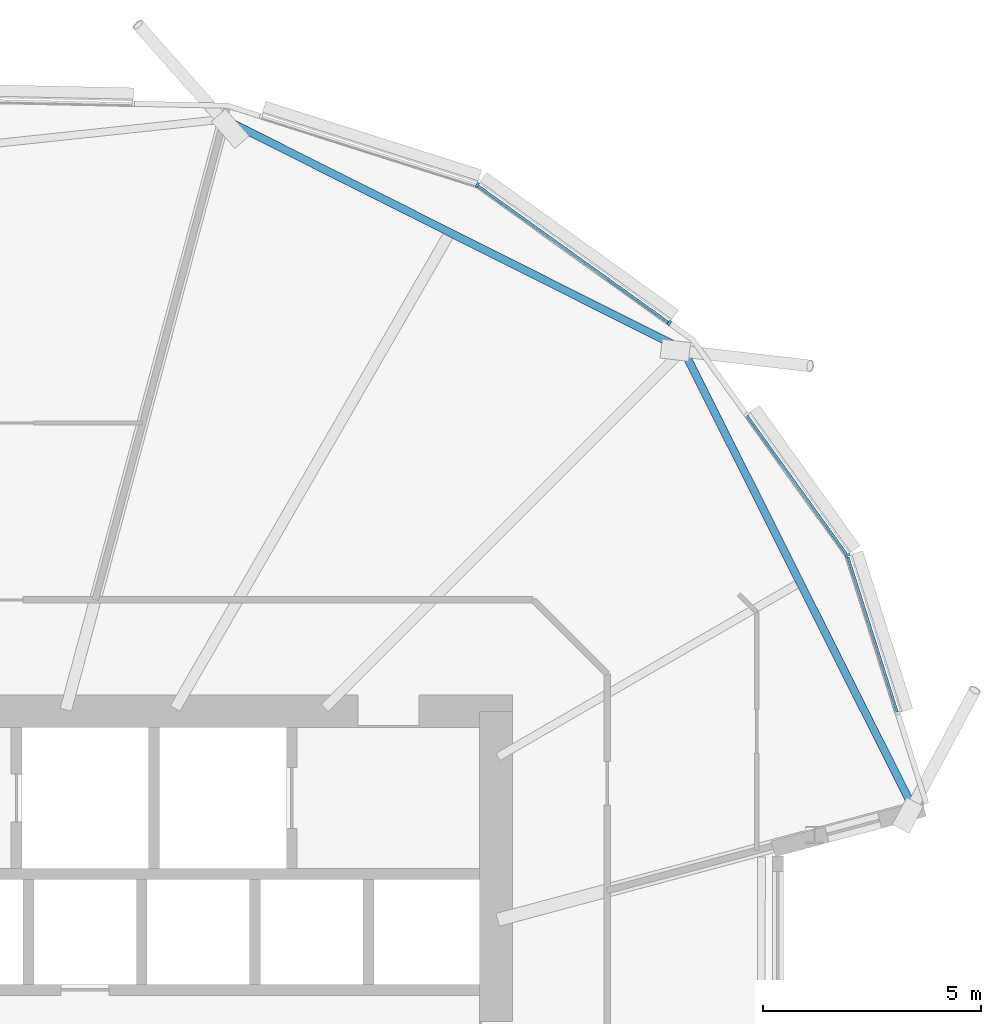
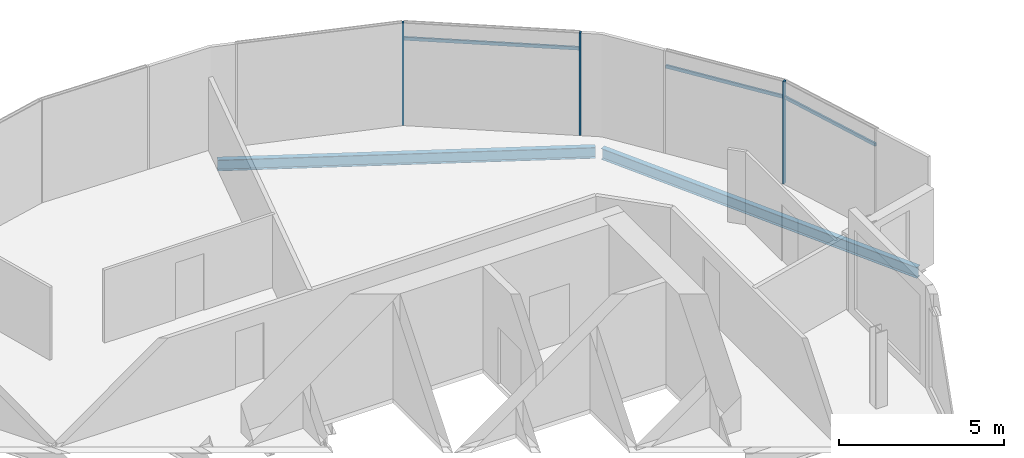
# One storey, part 19 of 39: 6 members, 2 beams, 1 element without a shape of its own.
"""IFC4 building model written with IfcOpenShell, lengths in metres."""

from ifc_helpers import new_model, si_unit, direction, frame, origin, origin_2d, place, context, subcontext, project, spatial, rectangle, i_section, extrude, material, material_profile, profile_set, type_object, element, aggregate, save


model = new_model("IFC4")

# Units and contexts
model_context = context("Model", 3, precision=1e-05, world=origin(), true_north=direction((0.0, 1.0)))
body_context = subcontext(model_context, "Body", "Model", "MODEL_VIEW")
ifc_project = project(units=[si_unit("LENGTHUNIT", "METRE"), si_unit("AREAUNIT", "SQUARE_METRE"), si_unit("VOLUMEUNIT", "CUBIC_METRE"), si_unit("PLANEANGLEUNIT", "RADIAN"), si_unit("MASSUNIT", "GRAM", prefix="KILO")], contexts=[model_context])

# Site, building, storey
site_placement = place(None, origin())
site = spatial("IfcSite", under=ifc_project, at=site_placement, CompositionType="ELEMENT")
building_placement = place(site_placement, origin())
building = spatial("IfcBuilding", under=site, at=building_placement, Name="Rimbun Link Towers", CompositionType="ELEMENT")
storey_placement = place(building_placement, frame((0.0, 0.0, 112.0)))
storey = spatial("IfcBuildingStorey", under=building, at=storey_placement, Name="L27", CompositionType="ELEMENT", Elevation=112.0)

# Curtain wall, members
ifc_material_1 = material(Name="Aluminium 6063-T6 and low-iron glass", Category="aluminium")
curtain_wall_type = type_object("IfcCurtainWallType", Name="CW1-Z2 unitised vision wall (zone 2)", PredefinedType="NOTDEFINED", material=ifc_material_1)
curtain_wall_placement = place(storey_placement, origin())
curtain_wall = element("IfcCurtainWall", 1, at=curtain_wall_placement, inside=storey, type_object=curtain_wall_type, Name="CW1 L27 T2", PredefinedType="NOTDEFINED")
ifc_material_2 = material(Name="Aluminium 6063-T6", Category="aluminium")
ifc_material_profile_1 = material_profile(ifc_material_2, rectangle(XDim=0.1201171875, YDim=0.06005859375, at=origin_2d()), Name="MULLION 60X120")
ifc_profile_set_1 = profile_set([ifc_material_profile_1], Name="Aluminium 6063-T6")
member_type_1 = type_object("IfcMemberType", Name="CW1 mullion 60X120", PredefinedType="MULLION", material=ifc_profile_set_1)
member_1_placement = place(storey_placement, frame((43.3203125, 20.04736328125, 0.0), z_axis=(0.0, 0.0, 1.0), x_axis=(0.448567495073, 0.893748959364, 0.0)))
member_1 = element("IfcMember", 2, at=member_1_placement, type_object=member_type_1, Name="CW1 mullion", PredefinedType="MULLION", context=body_context, shape_type="SweptSolid", body=[
    extrude(rectangle(XDim=0.1201171875, YDim=0.06005859375, at=origin_2d()), origin(), (0.0, 0.0, 1.0), 3.800048828125),
])
member_2_placement = place(storey_placement, frame((47.72021484375, 16.89111328125, 0.0), z_axis=(0.0, 0.0, 1.0), x_axis=(0.583006707221, 0.812467340473, 0.0)))
member_2 = element("IfcMember", 3, at=member_2_placement, type_object=member_type_1, Name="CW1 mullion", PredefinedType="MULLION", context=body_context, shape_type="SweptSolid", body=[
    extrude(rectangle(XDim=0.1201171875, YDim=0.06005859375, at=origin_2d()), origin(), (0.0, 0.0, 1.0), 3.800048828125),
])
member_3_placement = place(storey_placement, frame((51.79736328125, 11.5703125, 0.0), z_axis=(0.0, 0.0, 1.0), x_axis=(0.893748959364, 0.448567495073, 0.0)))
member_3 = element("IfcMember", 4, at=member_3_placement, type_object=member_type_1, Name="CW1 mullion", PredefinedType="MULLION", context=body_context, shape_type="SweptSolid", body=[
    extrude(rectangle(XDim=0.1201171875, YDim=0.06005859375, at=origin_2d()), origin(), (0.0, 0.0, 1.0), 3.800048828125),
])
ifc_material_3 = material(Name="Aluminium 6063-T6", Category="aluminium")
ifc_material_profile_2 = material_profile(ifc_material_3, rectangle(XDim=0.06005859375, YDim=0.1201171875, at=origin_2d()), Name="TRANSOM 60X120")
ifc_profile_set_2 = profile_set([ifc_material_profile_2], Name="Aluminium 6063-T6")
member_type_2 = type_object("IfcMemberType", Name="CW1 transom 60X120", PredefinedType="USERDEFINED", material=ifc_profile_set_2)
member_4_placement = place(storey_placement, frame((43.3515625, 20.0234375, 3.199951171875), z_axis=(0.812466294381, -0.583008165033, 0.0), x_axis=(0.583008165033, 0.812466294381, 0.0)))
member_4 = element("IfcMember", 5, at=member_4_placement, type_object=member_type_2, Name="CW1 transom", ObjectType="TRANSOM", PredefinedType="USERDEFINED", context=body_context, shape_type="SweptSolid", body=[
    extrude(rectangle(XDim=0.06005859375, YDim=0.1201171875, at=origin_2d()), origin(), (0.0, 0.0, 1.0), 5.345458984375),
])
member_5_placement = place(storey_placement, frame((51.80810546875, 11.532470703125, 3.199951171875), z_axis=(0.30305203266, -0.952974010926, 0.0), x_axis=(0.952974010926, 0.30305203266, 0.0)))
member_5 = element("IfcMember", 6, at=member_5_placement, type_object=member_type_2, Name="CW1 transom", ObjectType="TRANSOM", PredefinedType="USERDEFINED", context=body_context, shape_type="SweptSolid", body=[
    extrude(rectangle(XDim=0.06005859375, YDim=0.1201171875, at=origin_2d()), origin(), (0.0, 0.0, 1.0), 3.721923828125),
])
member_6_placement = place(storey_placement, frame((49.502197265625, 14.7666015625, 3.199951171875), z_axis=(0.583021204161, -0.812456937627, 0.0), x_axis=(0.812456937627, 0.583021204161, 0.0)))
member_6 = element("IfcMember", 7, at=member_6_placement, type_object=member_type_2, Name="CW1 transom", ObjectType="TRANSOM", PredefinedType="USERDEFINED", context=body_context, shape_type="SweptSolid", body=[
    extrude(rectangle(XDim=0.06005859375, YDim=0.1201171875, at=origin_2d()), origin(), (0.0, 0.0, 1.0), 3.895751953125),
])
aggregate(curtain_wall, [member_1, member_2, member_3, member_4, member_5, member_6])

# Beams
ifc_material_4 = material(Name="Steel S355J2", Category="steel")
ifc_material_profile_3 = material_profile(ifc_material_4, i_section(OverallWidth=0.177978515625, OverallDepth=0.406494140625, WebThickness=0.0078125, FlangeThickness=0.0126953125, at=origin_2d()), Name="UB 406x178x60")
ifc_profile_set_3 = profile_set([ifc_material_profile_3], Name="Steel S355J2")
beam_type = type_object("IfcBeamType", Name="UB 406x178x60", PredefinedType="BEAM", material=ifc_profile_set_3)
beam_1_placement = place(storey_placement, frame((47.926025390625, 16.33837890625, -0.36328125), z_axis=(-0.893751001661, 0.448563425872, 0.0), x_axis=(-0.448563425872, -0.893751001661, 0.0)))
element("IfcBeam", 8, at=beam_1_placement, inside=storey, type_object=beam_type, Name="Edge beam T2 L27 00-02", PredefinedType="BEAM", context=body_context, shape_type="SweptSolid", body=[
    extrude(i_section(OverallWidth=0.177978515625, OverallDepth=0.406494140625, WebThickness=0.0078125, FlangeThickness=0.0126953125, at=origin_2d()), origin(), (0.0, 0.0, 1.0), 11.498779296875),
])
beam_2_placement = place(storey_placement, frame((53.2373046875, 5.916748046875, -0.36328125), z_axis=(-0.448557273486, 0.893754089447, 0.0), x_axis=(-0.893754089447, -0.448557273486, 0.0)))
element("IfcBeam", 9, at=beam_2_placement, inside=storey, type_object=beam_type, Name="Edge beam T2 L27 22-00", PredefinedType="BEAM", context=body_context, shape_type="SweptSolid", body=[
    extrude(i_section(OverallWidth=0.177978515625, OverallDepth=0.406494140625, WebThickness=0.0078125, FlangeThickness=0.0126953125, at=origin_2d()), origin(), (0.0, 0.0, 1.0), 11.478759765625),
])

save(model, "model.ifc")
